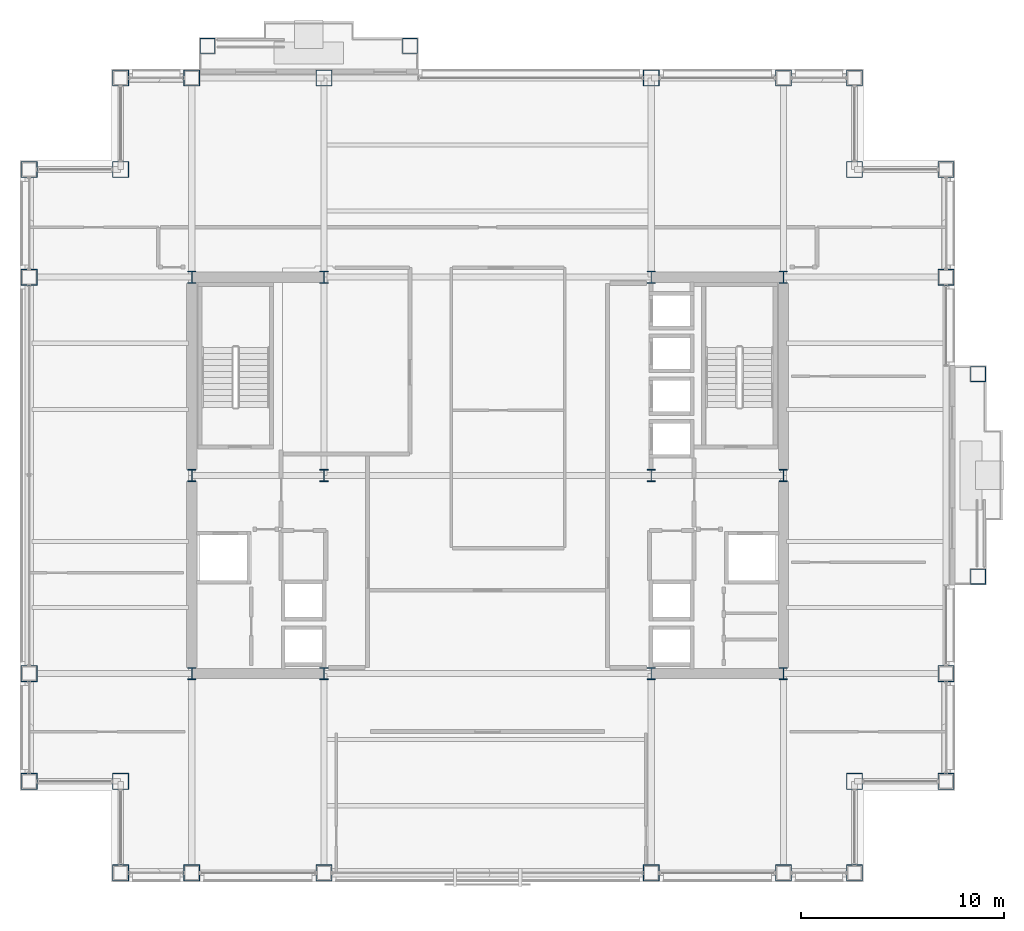
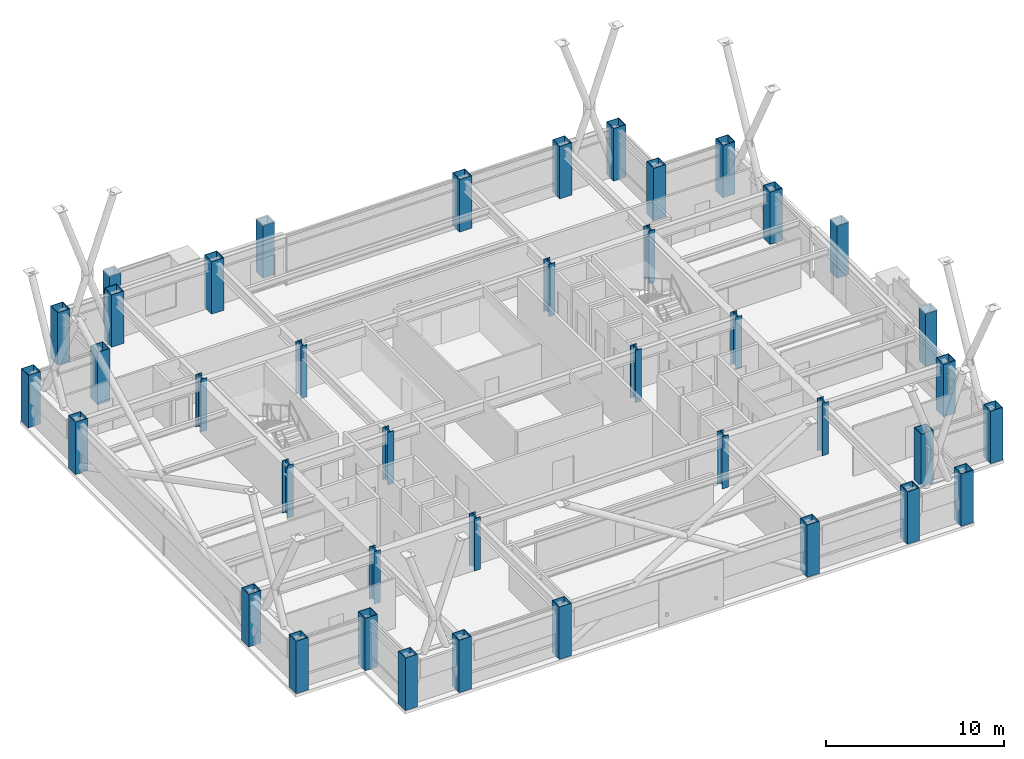
# One storey, part 1 of 35: 40 columns.
"""IFC4 building model written with IfcOpenShell, lengths in metres."""

from ifc_helpers import new_model, si_unit, direction, frame, origin, origin_2d, place, context, subcontext, project, spatial, hollow_rectangle, i_section, extrude, material, material_profile, profile_set, type_object, element, save


model = new_model("IFC4")

# Units and contexts
model_context = context("Model", 3, precision=1e-05, world=origin(), true_north=direction((0.0, 1.0)))
body_context = subcontext(model_context, "Body", "Model", "MODEL_VIEW")
ifc_project = project(units=[si_unit("LENGTHUNIT", "METRE"), si_unit("AREAUNIT", "SQUARE_METRE"), si_unit("VOLUMEUNIT", "CUBIC_METRE"), si_unit("PLANEANGLEUNIT", "RADIAN"), si_unit("MASSUNIT", "GRAM", prefix="KILO")], contexts=[model_context])

# Site, building, storey
site_placement = place(None, origin())
site = spatial("IfcSite", under=ifc_project, at=site_placement, CompositionType="ELEMENT")
building_placement = place(site_placement, origin())
building = spatial("IfcBuilding", under=site, at=building_placement, Name="Brelmoor Portico Tower", CompositionType="ELEMENT")
storey_placement = place(building_placement, frame((0.0, 0.0, 131.39990234375)))
storey = spatial("IfcBuildingStorey", under=building, at=storey_placement, Name="L34", CompositionType="ELEMENT", Elevation=131.39990234375)

# Columns
ifc_material = material(Name="Steel Q355B", Category="steel")
ifc_material_profile_1 = material_profile(ifc_material, hollow_rectangle(XDim=0.75, YDim=0.75, WallThickness=0.031982421875, at=origin_2d()), Name="BOX 750x750x32")
ifc_profile_set_1 = profile_set([ifc_material_profile_1], Name="Steel Q355B")
column_type_1 = type_object("IfcColumnType", Name="COL-MEGA-750", PredefinedType="COLUMN", material=ifc_profile_set_1)
for number, where, z_axis, x_axis, name in (
    (1, (-13.780029296875, 21.1298828125, 0.0), (0.0, 0.0, 1.0), (1.0, 0.0, 0.0), "L34 Proud Picture-Frame Pier PFJ-N1"),
    (2, (-3.820068359375, 21.1298828125, 0.0), (0.0, 0.0, 1.0), (1.0, 0.0, 0.0), "L34 Proud Picture-Frame Pier PFJ-N2"),
    (3, (24.1298828125, -4.97998046875, 0.0), (0.0, 0.0, 1.0), (0.0, 1.0, 0.0), "L34 Proud Picture-Frame Pier PFJ-E1"),
    (4, (24.1298828125, 4.97998046875, 0.0), (0.0, 0.0, 1.0), (0.0, 1.0, 0.0), "L34 Proud Picture-Frame Pier PFJ-E2"),
):
    element("IfcColumn", number, at=place(storey_placement, frame(where, z_axis=z_axis, x_axis=x_axis)), inside=storey, type_object=column_type_1, Name=name, PredefinedType="COLUMN", context=body_context, shape_type="SweptSolid", body=[
        extrude(hollow_rectangle(XDim=0.75, YDim=0.75, WallThickness=0.031982421875, at=origin_2d()), origin(), (0.0, 0.0, 1.0), 3.60009765625),
    ])
ifc_material_profile_2 = material_profile(ifc_material, hollow_rectangle(XDim=0.800048828125, YDim=0.800048828125, WallThickness=0.035888671875, at=origin_2d()), Name="BOX 800x800x36")
ifc_profile_set_2 = profile_set([ifc_material_profile_2], Name="Steel Q355B")
column_type_2 = type_object("IfcColumnType", Name="COL-MEGA-800", PredefinedType="COLUMN", material=ifc_profile_set_2)
for number, where, z_axis, x_axis, name in (
    (5, (-18.050048828125, -19.550048828125, 0.0), (0.0, 0.0, 1.0), (1.0, 0.0, 0.0), "L34 Perimeter Mega-Column PS01"),
    (6, (-14.550048828125, -19.550048828125, 0.0), (0.0, 0.0, 1.0), (1.0, 0.0, 0.0), "L34 Perimeter Mega-Column PS02"),
    (7, (-8.050048828125, -19.550048828125, 0.0), (0.0, 0.0, 1.0), (1.0, 0.0, 0.0), "L34 Perimeter Mega-Column PS03"),
    (8, (8.050048828125, -19.550048828125, 0.0), (0.0, 0.0, 1.0), (1.0, 0.0, 0.0), "L34 Perimeter Mega-Column PS04"),
    (9, (14.550048828125, -19.550048828125, 0.0), (0.0, 0.0, 1.0), (1.0, 0.0, 0.0), "L34 Perimeter Mega-Column PS05"),
    (10, (18.050048828125, -19.550048828125, 0.0), (0.0, 0.0, 1.0), (1.0, 0.0, 0.0), "L34 Perimeter Mega-Column PS06"),
    (11, (-18.050048828125, 19.550048828125, 0.0), (0.0, 0.0, 1.0), (1.0, 0.0, 0.0), "L34 Perimeter Mega-Column PN01"),
    (12, (-14.550048828125, 19.550048828125, 0.0), (0.0, 0.0, 1.0), (1.0, 0.0, 0.0), "L34 Perimeter Mega-Column PN02"),
    (13, (-8.050048828125, 19.550048828125, 0.0), (0.0, 0.0, 1.0), (1.0, 0.0, 0.0), "L34 Perimeter Mega-Column PN03"),
    (14, (8.050048828125, 19.550048828125, 0.0), (0.0, 0.0, 1.0), (1.0, 0.0, 0.0), "L34 Perimeter Mega-Column PN04"),
    (15, (14.550048828125, 19.550048828125, 0.0), (0.0, 0.0, 1.0), (1.0, 0.0, 0.0), "L34 Perimeter Mega-Column PN05"),
    (16, (18.050048828125, 19.550048828125, 0.0), (0.0, 0.0, 1.0), (1.0, 0.0, 0.0), "L34 Perimeter Mega-Column PN06"),
    (17, (-22.550048828125, -15.050048828125, 0.0), (0.0, 0.0, 1.0), (0.0, 1.0, 0.0), "L34 Perimeter Mega-Column PW01"),
    (18, (-22.550048828125, -9.75, 0.0), (0.0, 0.0, 1.0), (0.0, 1.0, 0.0), "L34 Perimeter Mega-Column PW02"),
    (19, (-22.550048828125, 9.75, 0.0), (0.0, 0.0, 1.0), (0.0, 1.0, 0.0), "L34 Perimeter Mega-Column PW03"),
    (20, (-22.550048828125, 15.050048828125, 0.0), (0.0, 0.0, 1.0), (0.0, 1.0, 0.0), "L34 Perimeter Mega-Column PW04"),
    (21, (22.550048828125, -15.050048828125, 0.0), (0.0, 0.0, 1.0), (0.0, 1.0, 0.0), "L34 Perimeter Mega-Column PE01"),
    (22, (22.550048828125, -9.75, 0.0), (0.0, 0.0, 1.0), (0.0, 1.0, 0.0), "L34 Perimeter Mega-Column PE02"),
    (23, (22.550048828125, 9.75, 0.0), (0.0, 0.0, 1.0), (0.0, 1.0, 0.0), "L34 Perimeter Mega-Column PE03"),
    (24, (22.550048828125, 15.050048828125, 0.0), (0.0, 0.0, 1.0), (0.0, 1.0, 0.0), "L34 Perimeter Mega-Column PE04"),
    (25, (-18.050048828125, 15.050048828125, 0.0), (0.0, 0.0, 1.0), (1.0, 0.0, 0.0), "L34 Perimeter Mega-Column PC-NW"),
    (26, (18.050048828125, 15.050048828125, 0.0), (0.0, 0.0, 1.0), (1.0, 0.0, 0.0), "L34 Perimeter Mega-Column PC-NE"),
    (27, (18.050048828125, -15.050048828125, 0.0), (0.0, 0.0, 1.0), (1.0, 0.0, 0.0), "L34 Perimeter Mega-Column PC-SE"),
    (28, (-18.050048828125, -15.050048828125, 0.0), (0.0, 0.0, 1.0), (1.0, 0.0, 0.0), "L34 Perimeter Mega-Column PC-SW"),
):
    element("IfcColumn", number, at=place(storey_placement, frame(where, z_axis=z_axis, x_axis=x_axis)), inside=storey, type_object=column_type_2, Name=name, PredefinedType="COLUMN", context=body_context, shape_type="SweptSolid", body=[
        extrude(hollow_rectangle(XDim=0.800048828125, YDim=0.800048828125, WallThickness=0.035888671875, at=origin_2d()), origin(), (0.0, 0.0, 1.0), 3.60009765625),
    ])
ifc_material_profile_3 = material_profile(ifc_material, i_section(OverallWidth=0.39990234375, OverallDepth=0.60009765625, WebThickness=0.02197265625, FlangeThickness=0.035888671875, at=origin_2d()), Name="HW 600x400x22x36")
ifc_profile_set_3 = profile_set([ifc_material_profile_3], Name="Steel Q355B")
column_type_3 = type_object("IfcColumnType", Name="COL-SPINE-600", PredefinedType="COLUMN", material=ifc_profile_set_3)
for number, where, z_axis, x_axis, name in (
    (29, (-14.550048828125, -9.75, 0.0), (0.0, 0.0, 1.0), (1.0, 0.0, 0.0), "L34 Core Spine Column CW-SW"),
    (30, (-14.550048828125, 0.0, 0.0), (0.0, 0.0, 1.0), (1.0, 0.0, 0.0), "L34 Core Spine Column CW-MW"),
    (31, (-14.550048828125, 9.75, 0.0), (0.0, 0.0, 1.0), (1.0, 0.0, 0.0), "L34 Core Spine Column CW-NW"),
    (32, (-8.050048828125, -9.75, 0.0), (0.0, 0.0, 1.0), (1.0, 0.0, 0.0), "L34 Core Spine Column CW-SE"),
    (33, (-8.050048828125, 0.0, 0.0), (0.0, 0.0, 1.0), (1.0, 0.0, 0.0), "L34 Core Spine Column CW-ME"),
    (34, (-8.050048828125, 9.75, 0.0), (0.0, 0.0, 1.0), (1.0, 0.0, 0.0), "L34 Core Spine Column CW-NE"),
    (35, (8.050048828125, -9.75, 0.0), (0.0, 0.0, 1.0), (1.0, 0.0, 0.0), "L34 Core Spine Column CE-SW"),
    (36, (8.050048828125, 0.0, 0.0), (0.0, 0.0, 1.0), (1.0, 0.0, 0.0), "L34 Core Spine Column CE-MW"),
    (37, (8.050048828125, 9.75, 0.0), (0.0, 0.0, 1.0), (1.0, 0.0, 0.0), "L34 Core Spine Column CE-NW"),
    (38, (14.550048828125, -9.75, 0.0), (0.0, 0.0, 1.0), (1.0, 0.0, 0.0), "L34 Core Spine Column CE-SE"),
    (39, (14.550048828125, 0.0, 0.0), (0.0, 0.0, 1.0), (1.0, 0.0, 0.0), "L34 Core Spine Column CE-ME"),
    (40, (14.550048828125, 9.75, 0.0), (0.0, 0.0, 1.0), (1.0, 0.0, 0.0), "L34 Core Spine Column CE-NE"),
):
    element("IfcColumn", number, at=place(storey_placement, frame(where, z_axis=z_axis, x_axis=x_axis)), inside=storey, type_object=column_type_3, Name=name, PredefinedType="COLUMN", context=body_context, shape_type="SweptSolid", body=[
        extrude(i_section(OverallWidth=0.39990234375, OverallDepth=0.60009765625, WebThickness=0.02197265625, FlangeThickness=0.035888671875, at=origin_2d()), origin(), (0.0, 0.0, 1.0), 3.60009765625),
    ])

save(model, "model.ifc")
